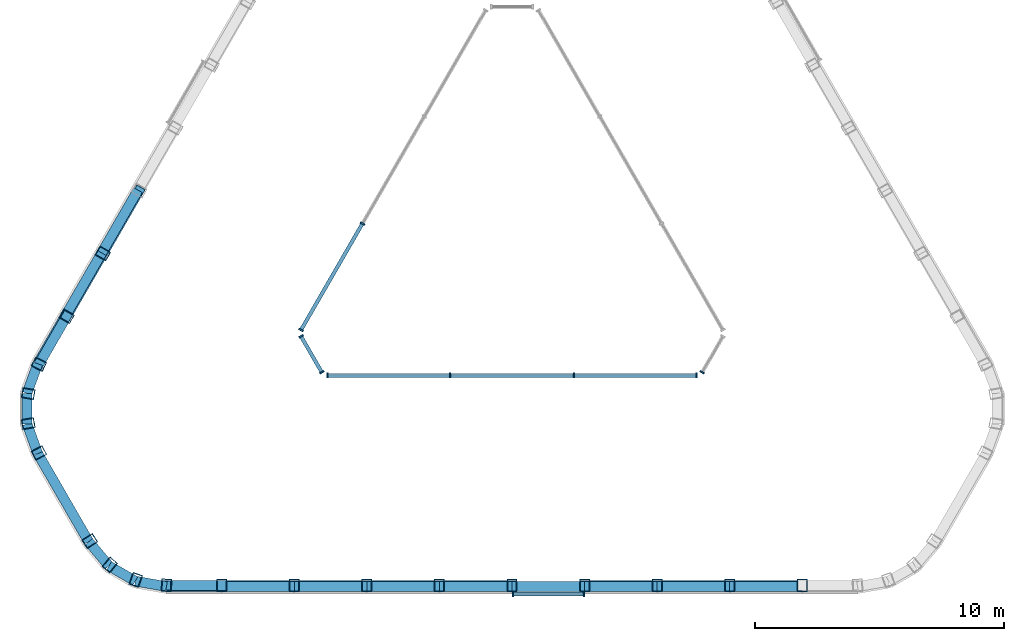
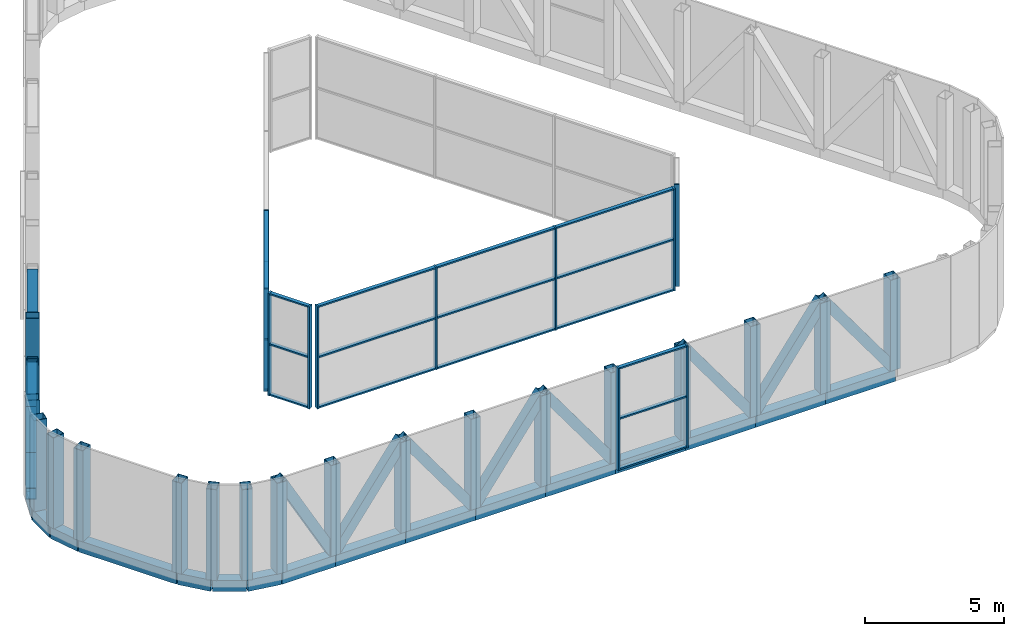
# One storey, part 1 of 5: 78 members, 5 elements without a shape of their own.
"""IFC4 building model written with IfcOpenShell, lengths in metres."""

from ifc_helpers import new_model, si_unit, direction, frame, origin, origin_2d, place, context, subcontext, project, spatial, rectangle, hollow_rectangle, extrude, material, layer, layer_set, material_profile, profile_set, type_object, element, aggregate, save


model = new_model("IFC4")

# Units and contexts
model_context = context("Model", 3, precision=1e-05, world=origin(), true_north=direction((0.0, 1.0)))
body_context = subcontext(model_context, "Body", "Model", "MODEL_VIEW")
ifc_project = project(units=[si_unit("LENGTHUNIT", "METRE"), si_unit("AREAUNIT", "SQUARE_METRE"), si_unit("VOLUMEUNIT", "CUBIC_METRE"), si_unit("PLANEANGLEUNIT", "RADIAN"), si_unit("MASSUNIT", "GRAM", prefix="KILO")], contexts=[model_context])

# Site, building, storey
site_placement = place(None, origin())
site = spatial("IfcSite", under=ifc_project, at=site_placement, CompositionType="ELEMENT")
building_placement = place(site_placement, origin())
building = spatial("IfcBuilding", under=site, at=building_placement, Name="Apuvela Tower Hotel", CompositionType="ELEMENT")
storey_placement = place(building_placement, frame((0.0, 0.0, 362.300048828125)))
storey = spatial("IfcBuildingStorey", under=building, at=storey_placement, Name="R-5 ROOF", CompositionType="ELEMENT", Elevation=362.300048828125)

# Members
ifc_material_1 = material(Name="Steel S355, black paint system", Category="steel")
ifc_material_profile_1 = material_profile(ifc_material_1, hollow_rectangle(XDim=0.39990234375, YDim=0.39990234375, WallThickness=0.01611328125, at=origin_2d()), Name="HSS 400x400x16")
ifc_profile_set_1 = profile_set([ifc_material_profile_1], Name="Steel S355, black paint system")
member_type_1 = type_object("IfcMemberType", Name="ENV-CROWN-BRACE-400x400", PredefinedType="BRACE", material=ifc_profile_set_1)
for number, where, z_axis, x_axis, name in (
    (1, (-16.428466796875, -0.602294921875, 0.25), (0.294292360305, 0.509682392621, 0.808465129315), (-0.866005469285, 0.500034525977, 0.0), "Crown frame brace 14"),
    (2, (-16.428466796875, -0.602294921875, 0.25), (-0.294284958722, -0.509718917438, 0.80844479606), (0.866026430432, -0.49999822179, 0.0), "Crown frame brace 15"),
):
    element("IfcMember", number, at=place(storey_placement, frame(where, z_axis=z_axis, x_axis=x_axis)), inside=storey, type_object=member_type_1, Name=name, PredefinedType="BRACE", context=body_context, shape_type="SweptSolid", body=[
        extrude(hollow_rectangle(XDim=0.39990234375, YDim=0.39990234375, WallThickness=0.01611328125, at=origin_2d()), origin(), (0.0, 0.0, 1.0), 4.94775390625),
    ])
member_1_placement = place(storey_placement, frame((-18.99609375, -5.0498046875, 0.25), z_axis=(0.242893162774, 0.420755188842, 0.874052620006), x_axis=(-0.866052104262, 0.499953750565, 0.0)))
element("IfcMember", 3, at=member_1_placement, inside=storey, type_object=member_type_1, Name="Crown frame brace 16", PredefinedType="BRACE", context=body_context, shape_type="SweptSolid", body=[
    extrude(hollow_rectangle(XDim=0.39990234375, YDim=0.39990234375, WallThickness=0.01611328125, at=origin_2d()), origin(), (0.0, 0.0, 1.0), 4.576416015625),
])
member_2_placement = place(storey_placement, frame((-11.64794921875, -13.92626953125, 0.25), z_axis=(-0.485796931429, 0.0, 0.874071702673), x_axis=(0.0, -1.0, 0.0)))
element("IfcMember", 4, at=member_2_placement, inside=storey, type_object=member_type_1, Name="Crown frame brace 24", PredefinedType="BRACE", context=body_context, shape_type="SweptSolid", body=[
    extrude(hollow_rectangle(XDim=0.39990234375, YDim=0.39990234375, WallThickness=0.01611328125, at=origin_2d()), origin(), (0.0, 0.0, 1.0), 4.576171875),
])
member_3_placement = place(storey_placement, frame((-11.64794921875, -13.92626953125, 0.25), z_axis=(0.588570642565, 0.0, 0.808445792067), x_axis=(0.0, 1.0, 0.0)))
element("IfcMember", 5, at=member_3_placement, inside=storey, type_object=member_type_1, Name="Crown frame brace 25", PredefinedType="BRACE", context=body_context, shape_type="SweptSolid", body=[
    extrude(hollow_rectangle(XDim=0.39990234375, YDim=0.39990234375, WallThickness=0.01611328125, at=origin_2d()), origin(), (0.0, 0.0, 1.0), 4.94775390625),
])
for number, where, z_axis, x_axis, name in (
    (6, (-5.823974609375, -13.92626953125, 0.25), (-0.588538390933, 0.0, 0.808469271153), (0.0, -1.0, 0.0), "Crown frame brace 26"),
    (7, (-5.823974609375, -13.92626953125, 0.25), (0.588538390933, 0.0, 0.808469271153), (0.0, 1.0, 0.0), "Crown frame brace 27"),
):
    element("IfcMember", number, at=place(storey_placement, frame(where, z_axis=z_axis, x_axis=x_axis)), inside=storey, type_object=member_type_1, Name=name, PredefinedType="BRACE", context=body_context, shape_type="SweptSolid", body=[
        extrude(hollow_rectangle(XDim=0.39990234375, YDim=0.39990234375, WallThickness=0.01611328125, at=origin_2d()), origin(), (0.0, 0.0, 1.0), 4.947509765625),
    ])
member_4_placement = place(storey_placement, frame((0.0, -13.92626953125, 0.25), z_axis=(-0.588570642565, 0.0, 0.808445792067), x_axis=(0.0, -1.0, 0.0)))
element("IfcMember", 8, at=member_4_placement, inside=storey, type_object=member_type_1, Name="Crown frame brace 28", PredefinedType="BRACE", context=body_context, shape_type="SweptSolid", body=[
    extrude(hollow_rectangle(XDim=0.39990234375, YDim=0.39990234375, WallThickness=0.01611328125, at=origin_2d()), origin(), (0.0, 0.0, 1.0), 4.94775390625),
])
for number, where, z_axis, x_axis, name in (
    (9, (5.823974609375, -13.92626953125, 0.25), (-0.588538390933, 0.0, 0.808469271153), (0.0, -1.0, 0.0), "Crown frame brace 30"),
    (10, (5.823974609375, -13.92626953125, 0.25), (0.588538390933, 0.0, 0.808469271153), (0.0, 1.0, 0.0), "Crown frame brace 31"),
):
    element("IfcMember", number, at=place(storey_placement, frame(where, z_axis=z_axis, x_axis=x_axis)), inside=storey, type_object=member_type_1, Name=name, PredefinedType="BRACE", context=body_context, shape_type="SweptSolid", body=[
        extrude(hollow_rectangle(XDim=0.39990234375, YDim=0.39990234375, WallThickness=0.01611328125, at=origin_2d()), origin(), (0.0, 0.0, 1.0), 4.947509765625),
    ])
member_5_placement = place(storey_placement, frame((11.64794921875, -13.92626953125, 0.25), z_axis=(-0.588570642565, 0.0, 0.808445792067), x_axis=(0.0, -1.0, 0.0)))
element("IfcMember", 11, at=member_5_placement, inside=storey, type_object=member_type_1, Name="Crown frame brace 32", PredefinedType="BRACE", context=body_context, shape_type="SweptSolid", body=[
    extrude(hollow_rectangle(XDim=0.39990234375, YDim=0.39990234375, WallThickness=0.01611328125, at=origin_2d()), origin(), (0.0, 0.0, 1.0), 4.94775390625),
])
ifc_material_profile_2 = material_profile(ifc_material_1, hollow_rectangle(XDim=0.39990234375, YDim=0.5, WallThickness=0.02001953125, at=origin_2d()), Name="HSS 500x400x20")
ifc_profile_set_2 = profile_set([ifc_material_profile_2], Name="Steel S355, black paint system")
member_type_2 = type_object("IfcMemberType", Name="ENV-CROWN-POST-500x400", PredefinedType="POST", material=ifc_profile_set_2)
for number, where, z_axis, x_axis, name in (
    (12, (-16.428466796875, -0.602294921875, 0.25), (0.0, 0.0, 1.0), (-0.5, -0.866025403784, 0.0), "Crown frame post 15"),
    (13, (-17.884521484375, -3.124267578125, 0.25), (0.0, 0.0, 1.0), (-0.5, -0.866025403784, 0.0), "Crown frame post 16"),
    (14, (-18.99609375, -5.0498046875, 0.25), (0.0, 0.0, 1.0), (-0.444553885133, -0.895752110359, 0.0), "Crown frame post 17"),
    (15, (-19.42529296875, -6.229248046875, 0.25), (0.0, 0.0, 1.0), (-0.177414537484, -0.984136211045, 0.0), "Crown frame post 18"),
    (16, (-19.42529296875, -7.43115234375, 0.25), (0.0, 0.0, 1.0), (0.177414537484, -0.984136211045, 0.0), "Crown frame post 19"),
    (17, (-18.99609375, -8.610595703125, 0.25), (0.0, 0.0, 1.0), (0.464115596815, -0.885774639958, 0.0), "Crown frame post 20"),
    (18, (-16.955078125, -12.145751953125, 0.25), (0.0, 0.0, 1.0), (0.535045541825, -0.844823217113, 0.0), "Crown frame post 21"),
    (19, (-16.148193359375, -13.107421875, 0.25), (0.0, 0.0, 1.0), (0.763579690807, -0.645713601984, 0.0), "Crown frame post 22"),
    (20, (-15.107421875, -13.708251953125, 0.25), (0.0, 0.0, 1.0), (0.940994228291, -0.33842260906, 0.0), "Crown frame post 23"),
    (21, (-13.87109375, -13.92626953125, 0.25), (0.0, 0.0, 1.0), (0.998021025631, -0.062881097303, 0.0), "Crown frame post 24"),
    (22, (-11.64794921875, -13.92626953125, 0.25), (0.0, 0.0, 1.0), (1.0, 0.0, 0.0), "Crown frame post 25"),
    (23, (-8.73583984375, -13.92626953125, 0.25), (0.0, 0.0, 1.0), (1.0, 0.0, 0.0), "Crown frame post 26"),
    (24, (-5.823974609375, -13.92626953125, 0.25), (0.0, 0.0, 1.0), (1.0, 0.0, 0.0), "Crown frame post 27"),
    (25, (-2.912109375, -13.92626953125, 0.25), (0.0, 0.0, 1.0), (1.0, 0.0, 0.0), "Crown frame post 28"),
    (26, (0.0, -13.92626953125, 0.25), (0.0, 0.0, 1.0), (1.0, 0.0, 0.0), "Crown frame post 29"),
    (27, (2.912109375, -13.92626953125, 0.25), (0.0, 0.0, 1.0), (1.0, 0.0, 0.0), "Crown frame post 30"),
    (28, (5.823974609375, -13.92626953125, 0.25), (0.0, 0.0, 1.0), (1.0, 0.0, 0.0), "Crown frame post 31"),
    (29, (8.73583984375, -13.92626953125, 0.25), (0.0, 0.0, 1.0), (1.0, 0.0, 0.0), "Crown frame post 32"),
    (30, (11.64794921875, -13.92626953125, 0.25), (0.0, 0.0, 1.0), (1.0, 0.0, 0.0), "Crown frame post 33"),
):
    element("IfcMember", number, at=place(storey_placement, frame(where, z_axis=z_axis, x_axis=x_axis)), inside=storey, type_object=member_type_2, Name=name, PredefinedType="POST", context=body_context, shape_type="SweptSolid", body=[
        extrude(hollow_rectangle(XDim=0.39990234375, YDim=0.5, WallThickness=0.02001953125, at=origin_2d()), origin(), (0.0, 0.0, 1.0), 4.0),
    ])
ifc_material_profile_3 = material_profile(ifc_material_1, hollow_rectangle(XDim=0.39990234375, YDim=0.5, WallThickness=0.01611328125, at=origin_2d()), Name="HSS 500x400x16")
ifc_profile_set_3 = profile_set([ifc_material_profile_3], Name="Steel S355, black paint system")
member_type_3 = type_object("IfcMemberType", Name="ENV-CROWN-RING-500x400", PredefinedType="STRINGER", material=ifc_profile_set_3)
member_6_placement = place(storey_placement, frame((-15.0166015625, 1.94287109375, 0.0), z_axis=(-0.500015065024, -0.866016705814, 0.0), x_axis=(0.866016705814, -0.500015065024, 0.0)))
element("IfcMember", 31, at=member_6_placement, inside=storey, type_object=member_type_3, Name="Crown frame ring beam 5.14", PredefinedType="STRINGER", context=body_context, shape_type="SweptSolid", body=[
    extrude(hollow_rectangle(XDim=0.39990234375, YDim=0.5, WallThickness=0.01611328125, at=origin_2d()), origin(), (0.0, 0.0, 1.0), 2.9130859375),
])
member_7_placement = place(storey_placement, frame((-16.47314453125, -0.579833984375, 0.0), z_axis=(-0.499952204256, -0.866052996912, 0.0), x_axis=(0.866052996912, -0.499952204256, 0.0)))
element("IfcMember", 32, at=member_7_placement, inside=storey, type_object=member_type_3, Name="Crown frame ring beam 5.15", PredefinedType="STRINGER", context=body_context, shape_type="SweptSolid", body=[
    extrude(hollow_rectangle(XDim=0.39990234375, YDim=0.5, WallThickness=0.01611328125, at=origin_2d()), origin(), (0.0, 0.0, 1.0), 2.912841796875),
])
member_8_placement = place(storey_placement, frame((-17.929443359375, -3.1025390625, 0.0), z_axis=(-0.500023359282, -0.866011916877, 0.0), x_axis=(0.866011916877, -0.500023359282, 0.0)))
element("IfcMember", 33, at=member_8_placement, inside=storey, type_object=member_type_3, Name="Crown frame ring beam 5.16", PredefinedType="STRINGER", context=body_context, shape_type="SweptSolid", body=[
    extrude(hollow_rectangle(XDim=0.39990234375, YDim=0.5, WallThickness=0.01611328125, at=origin_2d()), origin(), (0.0, 0.0, 1.0), 2.22412109375),
])
member_9_placement = place(storey_placement, frame((-19.04150390625, -5.028564453125, 0.0), z_axis=(-0.34203668354, -0.939686600475, 0.0), x_axis=(0.939686600475, -0.34203668354, 0.0)))
element("IfcMember", 34, at=member_9_placement, inside=storey, type_object=member_type_3, Name="Crown frame ring beam 5.17", PredefinedType="STRINGER", context=body_context, shape_type="SweptSolid", body=[
    extrude(hollow_rectangle(XDim=0.39990234375, YDim=0.5, WallThickness=0.01611328125, at=origin_2d()), origin(), (0.0, 0.0, 1.0), 1.268310546875),
])
member_10_placement = place(storey_placement, frame((-19.475341796875, -6.220458984375, 0.0), z_axis=(0.0, -1.0, 0.0), x_axis=(1.0, 0.0, 0.0)))
element("IfcMember", 35, at=member_10_placement, inside=storey, type_object=member_type_3, Name="Crown frame ring beam 5.18", PredefinedType="STRINGER", context=body_context, shape_type="SweptSolid", body=[
    extrude(hollow_rectangle(XDim=0.39990234375, YDim=0.5, WallThickness=0.01611328125, at=origin_2d()), origin(), (0.0, 0.0, 1.0), 1.219482421875),
])
member_11_placement = place(storey_placement, frame((-19.475341796875, -7.43994140625, 0.0), z_axis=(0.34203668354, -0.939686600475, 0.0), x_axis=(0.939686600475, 0.34203668354, 0.0)))
element("IfcMember", 36, at=member_11_placement, inside=storey, type_object=member_type_3, Name="Crown frame ring beam 5.19", PredefinedType="STRINGER", context=body_context, shape_type="SweptSolid", body=[
    extrude(hollow_rectangle(XDim=0.39990234375, YDim=0.5, WallThickness=0.01611328125, at=origin_2d()), origin(), (0.0, 0.0, 1.0), 1.268310546875),
])
member_12_placement = place(storey_placement, frame((-19.04150390625, -8.6318359375, 0.0), z_axis=(0.500003144135, -0.86602358851, 0.0), x_axis=(0.86602358851, 0.500003144135, 0.0)))
element("IfcMember", 37, at=member_12_placement, inside=storey, type_object=member_type_3, Name="Crown frame ring beam 5.20", PredefinedType="STRINGER", context=body_context, shape_type="SweptSolid", body=[
    extrude(hollow_rectangle(XDim=0.39990234375, YDim=0.5, WallThickness=0.01611328125, at=origin_2d()), origin(), (0.0, 0.0, 1.0), 4.0908203125),
])
member_13_placement = place(storey_placement, frame((-16.99609375, -12.174560546875, 0.0), z_axis=(0.642717965607, -0.766102876046, 0.0), x_axis=(0.766102876046, 0.642717965607, 0.0)))
element("IfcMember", 38, at=member_13_placement, inside=storey, type_object=member_type_3, Name="Crown frame ring beam 5.21", PredefinedType="STRINGER", context=body_context, shape_type="SweptSolid", body=[
    extrude(hollow_rectangle(XDim=0.39990234375, YDim=0.5, WallThickness=0.01611328125, at=origin_2d()), origin(), (0.0, 0.0, 1.0), 1.268310546875),
])
member_14_placement = place(storey_placement, frame((-16.180908203125, -13.146240234375, 0.0), z_axis=(0.866078909804, -0.499907313403, 0.0), x_axis=(0.499907313403, 0.866078909804, 0.0)))
element("IfcMember", 39, at=member_14_placement, inside=storey, type_object=member_type_3, Name="Crown frame ring beam 5.22", PredefinedType="STRINGER", context=body_context, shape_type="SweptSolid", body=[
    extrude(hollow_rectangle(XDim=0.39990234375, YDim=0.5, WallThickness=0.01611328125, at=origin_2d()), origin(), (0.0, 0.0, 1.0), 1.219482421875),
])
member_15_placement = place(storey_placement, frame((-15.124755859375, -13.755859375, 0.0), z_axis=(0.984783558818, -0.173785333909, 0.0), x_axis=(0.173785333909, 0.984783558818, 0.0)))
element("IfcMember", 40, at=member_15_placement, inside=storey, type_object=member_type_3, Name="Crown frame ring beam 5.23", PredefinedType="STRINGER", context=body_context, shape_type="SweptSolid", body=[
    extrude(hollow_rectangle(XDim=0.39990234375, YDim=0.5, WallThickness=0.01611328125, at=origin_2d()), origin(), (0.0, 0.0, 1.0), 1.2685546875),
])
member_16_placement = place(storey_placement, frame((-13.87548828125, -13.976318359375, 0.0), z_axis=(1.0, 0.0, 0.0), x_axis=(0.0, 1.0, 0.0)))
element("IfcMember", 41, at=member_16_placement, inside=storey, type_object=member_type_3, Name="Crown frame ring beam 5.24", PredefinedType="STRINGER", context=body_context, shape_type="SweptSolid", body=[
    extrude(hollow_rectangle(XDim=0.39990234375, YDim=0.5, WallThickness=0.01611328125, at=origin_2d()), origin(), (0.0, 0.0, 1.0), 2.223876953125),
])
member_17_placement = place(storey_placement, frame((-11.651611328125, -13.976318359375, 0.0), z_axis=(1.0, 0.0, 0.0), x_axis=(0.0, 1.0, 0.0)))
element("IfcMember", 42, at=member_17_placement, inside=storey, type_object=member_type_3, Name="Crown frame ring beam 5.25", PredefinedType="STRINGER", context=body_context, shape_type="SweptSolid", body=[
    extrude(hollow_rectangle(XDim=0.39990234375, YDim=0.5, WallThickness=0.01611328125, at=origin_2d()), origin(), (0.0, 0.0, 1.0), 2.912841796875),
])
member_18_placement = place(storey_placement, frame((-8.73876953125, -13.976318359375, 0.0), z_axis=(1.0, 0.0, 0.0), x_axis=(0.0, 1.0, 0.0)))
element("IfcMember", 43, at=member_18_placement, inside=storey, type_object=member_type_3, Name="Crown frame ring beam 5.26", PredefinedType="STRINGER", context=body_context, shape_type="SweptSolid", body=[
    extrude(hollow_rectangle(XDim=0.39990234375, YDim=0.5, WallThickness=0.01611328125, at=origin_2d()), origin(), (0.0, 0.0, 1.0), 2.9130859375),
])
for number, where, z_axis, x_axis, name in (
    (44, (-5.82568359375, -13.976318359375, 0.0), (1.0, 0.0, 0.0), (0.0, 1.0, 0.0), "Crown frame ring beam 5.27"),
    (45, (-2.912841796875, -13.976318359375, 0.0), (1.0, 0.0, 0.0), (0.0, 1.0, 0.0), "Crown frame ring beam 5.28"),
    (46, (0.0, -13.976318359375, 0.0), (1.0, 0.0, 0.0), (0.0, 1.0, 0.0), "Crown frame ring beam 5.29"),
    (47, (2.912841796875, -13.976318359375, 0.0), (1.0, 0.0, 0.0), (0.0, 1.0, 0.0), "Crown frame ring beam 5.30"),
):
    element("IfcMember", number, at=place(storey_placement, frame(where, z_axis=z_axis, x_axis=x_axis)), inside=storey, type_object=member_type_3, Name=name, PredefinedType="STRINGER", context=body_context, shape_type="SweptSolid", body=[
        extrude(hollow_rectangle(XDim=0.39990234375, YDim=0.5, WallThickness=0.01611328125, at=origin_2d()), origin(), (0.0, 0.0, 1.0), 2.912841796875),
    ])
member_19_placement = place(storey_placement, frame((5.82568359375, -13.976318359375, 0.0), z_axis=(1.0, 0.0, 0.0), x_axis=(0.0, 1.0, 0.0)))
element("IfcMember", 48, at=member_19_placement, inside=storey, type_object=member_type_3, Name="Crown frame ring beam 5.31", PredefinedType="STRINGER", context=body_context, shape_type="SweptSolid", body=[
    extrude(hollow_rectangle(XDim=0.39990234375, YDim=0.5, WallThickness=0.01611328125, at=origin_2d()), origin(), (0.0, 0.0, 1.0), 2.9130859375),
])
member_20_placement = place(storey_placement, frame((8.73876953125, -13.976318359375, 0.0), z_axis=(1.0, 0.0, 0.0), x_axis=(0.0, 1.0, 0.0)))
element("IfcMember", 49, at=member_20_placement, inside=storey, type_object=member_type_3, Name="Crown frame ring beam 5.32", PredefinedType="STRINGER", context=body_context, shape_type="SweptSolid", body=[
    extrude(hollow_rectangle(XDim=0.39990234375, YDim=0.5, WallThickness=0.01611328125, at=origin_2d()), origin(), (0.0, 0.0, 1.0), 2.912841796875),
])

# Curtain wall, members
ifc_material_2 = material(Name="Aluminium 6063-T6, dark bronze anodised", Category="aluminium")
ifc_layer_1 = layer(ifc_material_2, 0.199951171875)
ifc_layer_set_1 = layer_set([ifc_layer_1], Name="ENV-CW-C")
curtain_wall_type_1 = type_object("IfcCurtainWallType", Name="ENV-CW-C", PredefinedType="NOTDEFINED", material=ifc_layer_set_1)
curtain_wall_1_placement = place(storey_placement, origin())
curtain_wall_1 = element("IfcCurtainWall", 50, at=curtain_wall_1_placement, inside=storey, type_object=curtain_wall_type_1, Name="Crown glazing 29 R-5 ROOF", PredefinedType="NOTDEFINED")
ifc_material_profile_4 = material_profile(ifc_material_2, rectangle(XDim=0.199951171875, YDim=0.06494140625, at=origin_2d()), Name="AL 65x200")
ifc_profile_set_4 = profile_set([ifc_material_profile_4], Name="Aluminium 6063-T6, dark bronze anodised")
member_type_4 = type_object("IfcMemberType", Name="ENV-MULLION-65x200", PredefinedType="MULLION", material=ifc_profile_set_4)
member_21_placement = place(storey_placement, frame((0.032470703125, -14.276123046875, 0.0), z_axis=(0.0, 0.0, 1.0), x_axis=(0.0, 1.0, 0.0)))
member_21 = element("IfcMember", 51, at=member_21_placement, type_object=member_type_4, Name="CW-C mullion 1", PredefinedType="MULLION", context=body_context, shape_type="SweptSolid", body=[
    extrude(rectangle(XDim=0.199951171875, YDim=0.06494140625, at=origin_2d()), origin(), (0.0, 0.0, 1.0), 4.5),
])
member_22_placement = place(storey_placement, frame((2.884765625, -14.276123046875, 0.0), z_axis=(0.0, 0.0, 1.0), x_axis=(0.0, 1.0, 0.0)))
member_22 = element("IfcMember", 52, at=member_22_placement, type_object=member_type_4, Name="CW-C mullion 2", PredefinedType="MULLION", context=body_context, shape_type="SweptSolid", body=[
    extrude(rectangle(XDim=0.199951171875, YDim=0.06494140625, at=origin_2d()), origin(), (0.0, 0.0, 1.0), 4.5),
])

ifc_layer_2 = layer(ifc_material_2, 0.199951171875)
ifc_layer_set_2 = layer_set([ifc_layer_2], Name="ENV-CW-A")
curtain_wall_type_2 = type_object("IfcCurtainWallType", Name="ENV-CW-A", PredefinedType="NOTDEFINED", material=ifc_layer_set_2)
curtain_wall_2_placement = place(storey_placement, origin())
curtain_wall_2 = element("IfcCurtainWall", 53, at=curtain_wall_2_placement, inside=storey, type_object=curtain_wall_type_2, Name="Atrium glazing 2 R-5 ROOF", PredefinedType="NOTDEFINED")
member_23_placement = place(storey_placement, frame((-6.00439453125, 0.60009765625, 0.0), z_axis=(0.0, 0.0, 1.0), x_axis=(0.866025940778, -0.499999069899, 0.0)))
member_23 = element("IfcMember", 54, at=member_23_placement, type_object=member_type_4, Name="CW-A mullion 3", PredefinedType="MULLION", context=body_context, shape_type="SweptSolid", body=[
    extrude(rectangle(XDim=0.199951171875, YDim=0.06494140625, at=origin_2d()), origin(), (0.0, 0.0, 1.0), 4.5),
])
member_24_placement = place(storey_placement, frame((-8.470703125, -3.671875, 0.0), z_axis=(0.0, 0.0, 1.0), x_axis=(0.866025940778, -0.499999069899, 0.0)))
member_24 = element("IfcMember", 55, at=member_24_placement, type_object=member_type_4, Name="CW-A mullion 4", PredefinedType="MULLION", context=body_context, shape_type="SweptSolid", body=[
    extrude(rectangle(XDim=0.199951171875, YDim=0.06494140625, at=origin_2d()), origin(), (0.0, 0.0, 1.0), 4.5),
])

curtain_wall_3_placement = place(storey_placement, origin())
curtain_wall_3 = element("IfcCurtainWall", 56, at=curtain_wall_3_placement, inside=storey, type_object=curtain_wall_type_2, Name="Atrium glazing 3 R-5 ROOF", PredefinedType="NOTDEFINED")
member_25_placement = place(storey_placement, frame((-8.470703125, -3.92822265625, 0.0), z_axis=(0.0, 0.0, 1.0), x_axis=(0.866031754706, 0.49998899972, 0.0)))
member_25 = element("IfcMember", 57, at=member_25_placement, type_object=member_type_4, Name="CW-A mullion 1", PredefinedType="MULLION", context=body_context, shape_type="SweptSolid", body=[
    extrude(rectangle(XDim=0.199951171875, YDim=0.06494140625, at=origin_2d()), origin(), (0.0, 0.0, 1.0), 4.5),
])
member_26_placement = place(storey_placement, frame((-7.63720703125, -5.371826171875, 0.0), z_axis=(0.0, 0.0, 1.0), x_axis=(0.866031754706, 0.49998899972, 0.0)))
member_26 = element("IfcMember", 58, at=member_26_placement, type_object=member_type_4, Name="CW-A mullion 2", PredefinedType="MULLION", context=body_context, shape_type="SweptSolid", body=[
    extrude(rectangle(XDim=0.199951171875, YDim=0.06494140625, at=origin_2d()), origin(), (0.0, 0.0, 1.0), 4.5),
])

curtain_wall_4_placement = place(storey_placement, origin())
curtain_wall_4 = element("IfcCurtainWall", 59, at=curtain_wall_4_placement, inside=storey, type_object=curtain_wall_type_2, Name="Atrium glazing 4 R-5 ROOF", PredefinedType="NOTDEFINED")
member_27_placement = place(storey_placement, frame((-7.415283203125, -5.5, 0.0), z_axis=(0.0, 0.0, 1.0), x_axis=(0.0, 1.0, 0.0)))
member_27 = element("IfcMember", 60, at=member_27_placement, type_object=member_type_4, Name="CW-A mullion 1", PredefinedType="MULLION", context=body_context, shape_type="SweptSolid", body=[
    extrude(rectangle(XDim=0.199951171875, YDim=0.06494140625, at=origin_2d()), origin(), (0.0, 0.0, 1.0), 4.5),
])
member_28_placement = place(storey_placement, frame((-2.482666015625, -5.5, 0.0), z_axis=(0.0, 0.0, 1.0), x_axis=(0.0, 1.0, 0.0)))
member_28 = element("IfcMember", 61, at=member_28_placement, type_object=member_type_4, Name="CW-A mullion 2", PredefinedType="MULLION", context=body_context, shape_type="SweptSolid", body=[
    extrude(rectangle(XDim=0.199951171875, YDim=0.06494140625, at=origin_2d()), origin(), (0.0, 0.0, 1.0), 4.5),
])
member_29_placement = place(storey_placement, frame((2.482666015625, -5.5, 0.0), z_axis=(0.0, 0.0, 1.0), x_axis=(0.0, 1.0, 0.0)))
member_29 = element("IfcMember", 62, at=member_29_placement, type_object=member_type_4, Name="CW-A mullion 3", PredefinedType="MULLION", context=body_context, shape_type="SweptSolid", body=[
    extrude(rectangle(XDim=0.199951171875, YDim=0.06494140625, at=origin_2d()), origin(), (0.0, 0.0, 1.0), 4.5),
])
member_30_placement = place(storey_placement, frame((7.415283203125, -5.5, 0.0), z_axis=(0.0, 0.0, 1.0), x_axis=(0.0, 1.0, 0.0)))
member_30 = element("IfcMember", 63, at=member_30_placement, type_object=member_type_4, Name="CW-A mullion 4", PredefinedType="MULLION", context=body_context, shape_type="SweptSolid", body=[
    extrude(rectangle(XDim=0.199951171875, YDim=0.06494140625, at=origin_2d()), origin(), (0.0, 0.0, 1.0), 4.5),
])

# Curtain wall, member
curtain_wall_5_placement = place(storey_placement, origin())
curtain_wall_5 = element("IfcCurtainWall", 64, at=curtain_wall_5_placement, inside=storey, type_object=curtain_wall_type_2, Name="Atrium glazing 5 R-5 ROOF", PredefinedType="NOTDEFINED")
member_31_placement = place(storey_placement, frame((7.63720703125, -5.371826171875, 0.0), z_axis=(0.0, 0.0, 1.0), x_axis=(-0.866031754706, 0.49998899972, 0.0)))
member_31 = element("IfcMember", 65, at=member_31_placement, type_object=member_type_4, Name="CW-A mullion 1", PredefinedType="MULLION", context=body_context, shape_type="SweptSolid", body=[
    extrude(rectangle(XDim=0.199951171875, YDim=0.06494140625, at=origin_2d()), origin(), (0.0, 0.0, 1.0), 4.5),
])
aggregate(curtain_wall_5, [member_31])

# Member
ifc_material_profile_5 = material_profile(ifc_material_2, rectangle(XDim=0.14990234375, YDim=0.06494140625, at=origin_2d()), Name="AL 65x150 transom")
ifc_profile_set_5 = profile_set([ifc_material_profile_5], Name="Aluminium 6063-T6, dark bronze anodised")
member_type_5 = type_object("IfcMemberType", Name="ENV-TRANSOM-65x150", PredefinedType="USERDEFINED", material=ifc_profile_set_5)
member_32_placement = place(storey_placement, frame((0.06494140625, -14.276123046875, 0.032470703125), z_axis=(1.0, 0.0, 0.0), x_axis=(0.0, 1.0, 0.0)))
member_32 = element("IfcMember", 66, at=member_32_placement, type_object=member_type_5, Name="CW-C transom 1.1", ObjectType="TRANSOM", PredefinedType="USERDEFINED", context=body_context, shape_type="SweptSolid", body=[
    extrude(rectangle(XDim=0.14990234375, YDim=0.06494140625, at=origin_2d()), origin(), (0.0, 0.0, 1.0), 2.787353515625),
])

member_33_placement = place(storey_placement, frame((0.06494140625, -14.276123046875, 2.25), z_axis=(1.0, 0.0, 0.0), x_axis=(0.0, 1.0, 0.0)))
member_33 = element("IfcMember", 67, at=member_33_placement, type_object=member_type_5, Name="CW-C transom 1.2", ObjectType="TRANSOM", PredefinedType="USERDEFINED", context=body_context, shape_type="SweptSolid", body=[
    extrude(rectangle(XDim=0.14990234375, YDim=0.06494140625, at=origin_2d()), origin(), (0.0, 0.0, 1.0), 2.787353515625),
])

member_34_placement = place(storey_placement, frame((0.06494140625, -14.276123046875, 4.467529296875), z_axis=(1.0, 0.0, 0.0), x_axis=(0.0, 1.0, 0.0)))
member_34 = element("IfcMember", 68, at=member_34_placement, type_object=member_type_5, Name="CW-C transom 1.3", ObjectType="TRANSOM", PredefinedType="USERDEFINED", context=body_context, shape_type="SweptSolid", body=[
    extrude(rectangle(XDim=0.14990234375, YDim=0.06494140625, at=origin_2d()), origin(), (0.0, 0.0, 1.0), 2.787353515625),
])

aggregate(curtain_wall_1, [member_21, member_22, member_32, member_33, member_34])

member_35_placement = place(storey_placement, frame((-6.020751953125, 0.57177734375, 0.032470703125), z_axis=(-0.49999597136, -0.866027729709, 0.0), x_axis=(0.866027729709, -0.49999597136, 0.0)))
member_35 = element("IfcMember", 69, at=member_35_placement, type_object=member_type_5, Name="CW-A transom 3.1", ObjectType="TRANSOM", PredefinedType="USERDEFINED", context=body_context, shape_type="SweptSolid", body=[
    extrude(rectangle(XDim=0.14990234375, YDim=0.06494140625, at=origin_2d()), origin(), (0.0, 0.0, 1.0), 4.86767578125),
])

member_36_placement = place(storey_placement, frame((-6.020751953125, 0.57177734375, 2.25), z_axis=(-0.49999597136, -0.866027729709, 0.0), x_axis=(0.866027729709, -0.49999597136, 0.0)))
member_36 = element("IfcMember", 70, at=member_36_placement, type_object=member_type_5, Name="CW-A transom 3.2", ObjectType="TRANSOM", PredefinedType="USERDEFINED", context=body_context, shape_type="SweptSolid", body=[
    extrude(rectangle(XDim=0.14990234375, YDim=0.06494140625, at=origin_2d()), origin(), (0.0, 0.0, 1.0), 4.86767578125),
])

member_37_placement = place(storey_placement, frame((-6.020751953125, 0.57177734375, 4.467529296875), z_axis=(-0.49999597136, -0.866027729709, 0.0), x_axis=(0.866027729709, -0.49999597136, 0.0)))
member_37 = element("IfcMember", 71, at=member_37_placement, type_object=member_type_5, Name="CW-A transom 3.3", ObjectType="TRANSOM", PredefinedType="USERDEFINED", context=body_context, shape_type="SweptSolid", body=[
    extrude(rectangle(XDim=0.14990234375, YDim=0.06494140625, at=origin_2d()), origin(), (0.0, 0.0, 1.0), 4.86767578125),
])

aggregate(curtain_wall_2, [member_23, member_24, member_35, member_36, member_37])

member_38_placement = place(storey_placement, frame((-8.45458984375, -3.956298828125, 0.032470703125), z_axis=(0.499990676028, -0.866030786915, 0.0), x_axis=(0.866030786915, 0.499990676028, 0.0)))
member_38 = element("IfcMember", 72, at=member_38_placement, type_object=member_type_5, Name="CW-A transom 1.1", ObjectType="TRANSOM", PredefinedType="USERDEFINED", context=body_context, shape_type="SweptSolid", body=[
    extrude(rectangle(XDim=0.14990234375, YDim=0.06494140625, at=origin_2d()), origin(), (0.0, 0.0, 1.0), 1.60205078125),
])

member_39_placement = place(storey_placement, frame((-8.45458984375, -3.956298828125, 2.25), z_axis=(0.499990676028, -0.866030786915, 0.0), x_axis=(0.866030786915, 0.499990676028, 0.0)))
member_39 = element("IfcMember", 73, at=member_39_placement, type_object=member_type_5, Name="CW-A transom 1.2", ObjectType="TRANSOM", PredefinedType="USERDEFINED", context=body_context, shape_type="SweptSolid", body=[
    extrude(rectangle(XDim=0.14990234375, YDim=0.06494140625, at=origin_2d()), origin(), (0.0, 0.0, 1.0), 1.60205078125),
])

member_40_placement = place(storey_placement, frame((-8.45458984375, -3.956298828125, 4.467529296875), z_axis=(0.499990676028, -0.866030786915, 0.0), x_axis=(0.866030786915, 0.499990676028, 0.0)))
member_40 = element("IfcMember", 74, at=member_40_placement, type_object=member_type_5, Name="CW-A transom 1.3", ObjectType="TRANSOM", PredefinedType="USERDEFINED", context=body_context, shape_type="SweptSolid", body=[
    extrude(rectangle(XDim=0.14990234375, YDim=0.06494140625, at=origin_2d()), origin(), (0.0, 0.0, 1.0), 1.60205078125),
])

aggregate(curtain_wall_3, [member_25, member_26, member_38, member_39, member_40])

member_41_placement = place(storey_placement, frame((-7.3828125, -5.5, 0.032470703125), z_axis=(1.0, 0.0, 0.0), x_axis=(0.0, 1.0, 0.0)))
member_41 = element("IfcMember", 75, at=member_41_placement, type_object=member_type_5, Name="CW-A transom 1.1", ObjectType="TRANSOM", PredefinedType="USERDEFINED", context=body_context, shape_type="SweptSolid", body=[
    extrude(rectangle(XDim=0.14990234375, YDim=0.06494140625, at=origin_2d()), origin(), (0.0, 0.0, 1.0), 4.86767578125),
])

member_42_placement = place(storey_placement, frame((-7.3828125, -5.5, 2.25), z_axis=(1.0, 0.0, 0.0), x_axis=(0.0, 1.0, 0.0)))
member_42 = element("IfcMember", 76, at=member_42_placement, type_object=member_type_5, Name="CW-A transom 1.2", ObjectType="TRANSOM", PredefinedType="USERDEFINED", context=body_context, shape_type="SweptSolid", body=[
    extrude(rectangle(XDim=0.14990234375, YDim=0.06494140625, at=origin_2d()), origin(), (0.0, 0.0, 1.0), 4.86767578125),
])

member_43_placement = place(storey_placement, frame((-7.3828125, -5.5, 4.467529296875), z_axis=(1.0, 0.0, 0.0), x_axis=(0.0, 1.0, 0.0)))
member_43 = element("IfcMember", 77, at=member_43_placement, type_object=member_type_5, Name="CW-A transom 1.3", ObjectType="TRANSOM", PredefinedType="USERDEFINED", context=body_context, shape_type="SweptSolid", body=[
    extrude(rectangle(XDim=0.14990234375, YDim=0.06494140625, at=origin_2d()), origin(), (0.0, 0.0, 1.0), 4.86767578125),
])

member_44_placement = place(storey_placement, frame((-2.4501953125, -5.5, 0.032470703125), z_axis=(1.0, 0.0, 0.0), x_axis=(0.0, 1.0, 0.0)))
member_44 = element("IfcMember", 78, at=member_44_placement, type_object=member_type_5, Name="CW-A transom 2.1", ObjectType="TRANSOM", PredefinedType="USERDEFINED", context=body_context, shape_type="SweptSolid", body=[
    extrude(rectangle(XDim=0.14990234375, YDim=0.06494140625, at=origin_2d()), origin(), (0.0, 0.0, 1.0), 4.900390625),
])

member_45_placement = place(storey_placement, frame((-2.4501953125, -5.5, 2.25), z_axis=(1.0, 0.0, 0.0), x_axis=(0.0, 1.0, 0.0)))
member_45 = element("IfcMember", 79, at=member_45_placement, type_object=member_type_5, Name="CW-A transom 2.2", ObjectType="TRANSOM", PredefinedType="USERDEFINED", context=body_context, shape_type="SweptSolid", body=[
    extrude(rectangle(XDim=0.14990234375, YDim=0.06494140625, at=origin_2d()), origin(), (0.0, 0.0, 1.0), 4.900390625),
])

member_46_placement = place(storey_placement, frame((-2.4501953125, -5.5, 4.467529296875), z_axis=(1.0, 0.0, 0.0), x_axis=(0.0, 1.0, 0.0)))
member_46 = element("IfcMember", 80, at=member_46_placement, type_object=member_type_5, Name="CW-A transom 2.3", ObjectType="TRANSOM", PredefinedType="USERDEFINED", context=body_context, shape_type="SweptSolid", body=[
    extrude(rectangle(XDim=0.14990234375, YDim=0.06494140625, at=origin_2d()), origin(), (0.0, 0.0, 1.0), 4.900390625),
])

member_47_placement = place(storey_placement, frame((2.51513671875, -5.5, 0.032470703125), z_axis=(1.0, 0.0, 0.0), x_axis=(0.0, 1.0, 0.0)))
member_47 = element("IfcMember", 81, at=member_47_placement, type_object=member_type_5, Name="CW-A transom 3.1", ObjectType="TRANSOM", PredefinedType="USERDEFINED", context=body_context, shape_type="SweptSolid", body=[
    extrude(rectangle(XDim=0.14990234375, YDim=0.06494140625, at=origin_2d()), origin(), (0.0, 0.0, 1.0), 4.86767578125),
])

member_48_placement = place(storey_placement, frame((2.51513671875, -5.5, 2.25), z_axis=(1.0, 0.0, 0.0), x_axis=(0.0, 1.0, 0.0)))
member_48 = element("IfcMember", 82, at=member_48_placement, type_object=member_type_5, Name="CW-A transom 3.2", ObjectType="TRANSOM", PredefinedType="USERDEFINED", context=body_context, shape_type="SweptSolid", body=[
    extrude(rectangle(XDim=0.14990234375, YDim=0.06494140625, at=origin_2d()), origin(), (0.0, 0.0, 1.0), 4.86767578125),
])

member_49_placement = place(storey_placement, frame((2.51513671875, -5.5, 4.467529296875), z_axis=(1.0, 0.0, 0.0), x_axis=(0.0, 1.0, 0.0)))
member_49 = element("IfcMember", 83, at=member_49_placement, type_object=member_type_5, Name="CW-A transom 3.3", ObjectType="TRANSOM", PredefinedType="USERDEFINED", context=body_context, shape_type="SweptSolid", body=[
    extrude(rectangle(XDim=0.14990234375, YDim=0.06494140625, at=origin_2d()), origin(), (0.0, 0.0, 1.0), 4.86767578125),
])

aggregate(curtain_wall_4, [member_27, member_28, member_29, member_30, member_41, member_42, member_43, member_44, member_45, member_46, member_47, member_48, member_49])

save(model, "model.ifc")
